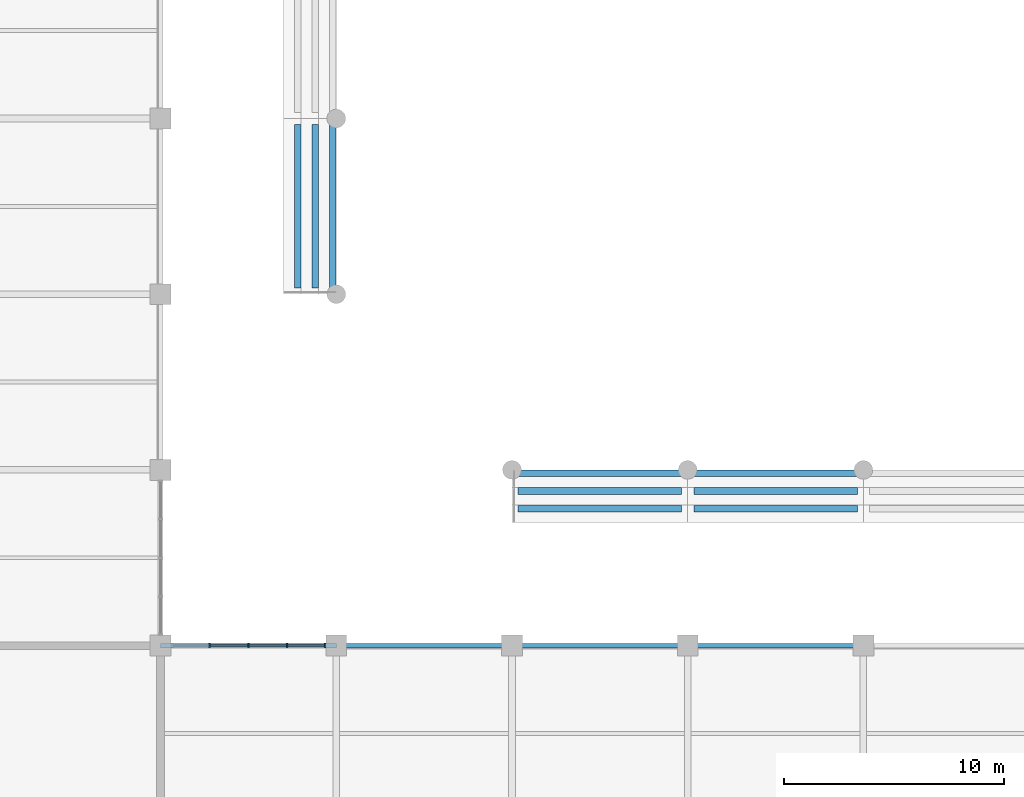
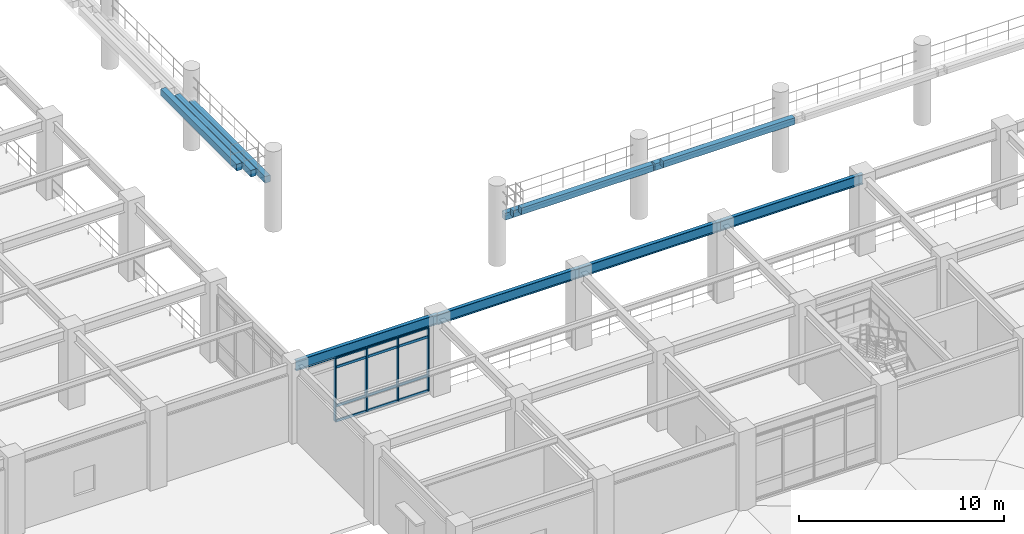
# One storey, part 13 of 109: 16 members, 13 beams, 1 element without a shape of its own.
"""IFC4 building model written with IfcOpenShell, lengths in metres."""

import ifcopenshell
import ifcopenshell.guid

model = None  # the IFC model being written
_history = None  # IfcOwnerHistory: only IFC2X3 demands one
_inside = {}  # id of a spatial element -> (the spatial element, [elements in it])
_under = {}  # id of a project, library or spatial element -> (it, [spatial elements below it])
_declared = {}  # id of a project -> (the project, [libraries it declares])
_typed = {}  # id of a type object -> (the type object, [elements of that type])
_made_of = {}  # id of a material, layer set ... -> (it, [elements and type objects made of it])


def new_model(schema):
    """Start an empty IFC model of exactly this schema.

    Asked for "IFC4X3", IfcOpenShell would pick the latest addendum, in which some entities
    have other attributes; the version numbers below select the first issue.
    IFC2X3 requires an IfcOwnerHistory on every rooted entity: one is made here for all.
    """
    global model, _history
    if schema == "IFC4X3":
        model = ifcopenshell.file(schema_version=(4, 3, 0, 0))
    else:
        model = ifcopenshell.file(schema=schema)
    _inside.clear()
    _under.clear()
    _declared.clear()
    _typed.clear()
    _made_of.clear()
    _history = None
    if model.schema == "IFC2X3":
        org = make("IfcOrganization", Name="unknown")
        user = make(
            "IfcPersonAndOrganization",
            ThePerson=make("IfcPerson", FamilyName="unknown"),
            TheOrganization=org,
        )
        app = make(
            "IfcApplication",
            ApplicationDeveloper=org,
            Version="unknown",
            ApplicationFullName="unknown",
            ApplicationIdentifier="unknown",
        )
        _history = make(
            "IfcOwnerHistory",
            OwningUser=user,
            OwningApplication=app,
            ChangeAction="ADDED",
            CreationDate=0,
        )
    return model


def make(cls, **values):
    """One entity of the class cls with the attributes given. An attribute that is None is left unset."""
    return model.create_entity(
        cls, **{name: value for name, value in values.items() if value is not None}
    )


def rooted(cls, **values):
    """An entity with a GlobalId (a new one), such as an element, a storey or a relation."""
    return make(cls, GlobalId=ifcopenshell.guid.new(), OwnerHistory=_history, **values)


def si_unit(unit_type, name, prefix=None):
    """IfcSIUnit, for example si_unit("LENGTHUNIT", "METRE", prefix="MILLI")."""
    return make("IfcSIUnit", UnitType=unit_type, Prefix=prefix, Name=name)


def assignment(units):
    """IfcUnitAssignment: the units of a project."""
    return None if units is None else make("IfcUnitAssignment", Units=units)


def point(xyz):
    """IfcCartesianPoint."""
    return None if xyz is None else make("IfcCartesianPoint", Coordinates=xyz)


def direction(xyz):
    """IfcDirection."""
    return None if xyz is None else make("IfcDirection", DirectionRatios=xyz)


def frame(location, z_axis=None, x_axis=None):
    """IfcAxis2Placement3D, a coordinate frame: its origin and axes. An axis left out is left unset."""
    return make(
        "IfcAxis2Placement3D",
        Location=point(location),
        Axis=direction(z_axis),
        RefDirection=direction(x_axis),
    )


def frame_2d(location, x_axis=None):
    """IfcAxis2Placement2D, a coordinate frame in the plane: its origin and x axis."""
    return make(
        "IfcAxis2Placement2D", Location=point(location), RefDirection=direction(x_axis)
    )


def origin():
    """The frame at (0, 0, 0) with its axes left unset."""
    return frame((0.0, 0.0, 0.0))


def origin_2d():
    """The frame at (0, 0) in the plane with its x axis left unset."""
    return frame_2d((0.0, 0.0))


def place(relative_to, where):
    """IfcLocalPlacement: puts the frame where relative to a parent placement (None: the world)."""
    return make(
        "IfcLocalPlacement", PlacementRelTo=relative_to, RelativePlacement=where
    )


def context(
    kind, dimensions, precision=None, world=None, true_north=None, identifier=None
):
    """IfcGeometricRepresentationContext, for example the 3D "Model" context."""
    return make(
        "IfcGeometricRepresentationContext",
        ContextIdentifier=identifier,
        ContextType=kind,
        CoordinateSpaceDimension=dimensions,
        Precision=precision,
        WorldCoordinateSystem=world,
        TrueNorth=true_north,
    )


def subcontext(parent, identifier, kind, view, scale=None):
    """IfcGeometricRepresentationSubContext, for example "Body" below "Model"."""
    return make(
        "IfcGeometricRepresentationSubContext",
        ContextIdentifier=identifier,
        ContextType=kind,
        ParentContext=parent,
        TargetScale=scale,
        TargetView=view,
    )


def project(units=None, contexts=None):
    """IfcProject with its units and contexts."""
    return rooted(
        "IfcProject",
        Name="project",
        RepresentationContexts=contexts,
        UnitsInContext=assignment(units),
    )


def spatial(cls, under=None, at=None, **own):
    """A site, building, storey or space (cls), placed at a placement, below another one or the project."""
    s = rooted(cls, ObjectPlacement=at, **own)
    if under is not None:
        _under.setdefault(under.id(), (under, []))[1].append(s)
    return s


def profile(cls, at=None, kind="AREA", **sizes):
    """A parametric profile (cls). Its sizes go by their IFC names, for example OverallWidth=200.0."""
    return make(cls, ProfileType=kind, Position=at, **sizes)


def rectangle(**sizes):
    """IfcRectangleProfileDef."""
    return profile("IfcRectangleProfileDef", **sizes)


def i_section(**sizes):
    """IfcIShapeProfileDef."""
    return profile("IfcIShapeProfileDef", **sizes)


def extrude(swept, where, along, depth):
    """IfcExtrudedAreaSolid: the profile swept, set in the frame where, extruded along a direction by depth."""
    return make(
        "IfcExtrudedAreaSolid",
        SweptArea=swept,
        Position=where,
        ExtrudedDirection=direction(along),
        Depth=depth,
    )


def shape(context_of_items, identifier, shape_type, items):
    """IfcShapeRepresentation: the items that make up one representation, for example the "Body"."""
    return make(
        "IfcShapeRepresentation",
        ContextOfItems=context_of_items,
        RepresentationIdentifier=identifier,
        RepresentationType=shape_type,
        Items=items,
    )


def material(Name=None, Category=None):
    """IfcMaterial."""
    return make("IfcMaterial", Name=Name, Category=Category)


def layer(
    of_material, thickness, ventilated=None, Name=None, Category=None, Priority=None
):
    """IfcMaterialLayer: one layer of a wall or slab, of a material (None: an air gap)."""
    return make(
        "IfcMaterialLayer",
        Material=of_material,
        LayerThickness=thickness,
        IsVentilated=ventilated,
        Name=Name,
        Category=Category,
        Priority=Priority,
    )


def layer_set(layers, Name=None):
    """IfcMaterialLayerSet."""
    return make("IfcMaterialLayerSet", MaterialLayers=layers, LayerSetName=Name)


def material_profile(
    of_material, cross_section, Name=None, Category=None, Priority=None
):
    """IfcMaterialProfile: a cross section and its material."""
    return make(
        "IfcMaterialProfile",
        Name=Name,
        Material=of_material,
        Profile=cross_section,
        Priority=Priority,
        Category=Category,
    )


def profile_set(profiles, Name=None, composite=None):
    """IfcMaterialProfileSet."""
    return make(
        "IfcMaterialProfileSet",
        Name=Name,
        MaterialProfiles=profiles,
        CompositeProfile=composite,
    )


def made_of(thing, what):
    """Note that an element or type object is made of a material, layer set ...; save() writes the relation."""
    if what is not None:
        _made_of.setdefault(what.id(), (what, []))[1].append(thing)
    return thing


def type_object(cls, material=None, **own):
    """A type object (cls), such as IfcWallType, which elements share."""
    return made_of(rooted(cls, **own), material)


def element(
    cls,
    number,
    at=None,
    inside=None,
    cuts=None,
    type_object=None,
    material=None,
    context=None,
    identifier="Body",
    shape_type=None,
    held_by="IfcProductDefinitionShape",
    body=None,
    shapes=None,
    **own,
):
    """One element of the class cls, such as IfcWall. Its Tag is "e" and its number.

    at: its placement. inside: the storey or other place that contains it. cuts: it is an
    opening in that element (IfcRelVoidsElement). A single representation is given by context,
    identifier, shape_type and body (its items); several are given by shapes. held_by: the class
    of the entity that holds the representations. save() writes the other relations.
    """
    e = rooted(cls, Tag="e%d" % number, ObjectPlacement=at, **own)
    if body is not None:
        shapes = [shape(context, identifier, shape_type, body)]
    if shapes is not None:
        e.Representation = make(held_by, Representations=shapes)
    if inside is not None:
        _inside.setdefault(inside.id(), (inside, []))[1].append(e)
    if cuts is not None:
        rooted(
            "IfcRelVoidsElement", RelatingBuildingElement=cuts, RelatedOpeningElement=e
        )
    if type_object is not None:
        _typed.setdefault(type_object.id(), (type_object, []))[1].append(e)
    return made_of(e, material)


def aggregate(whole, parts):
    """IfcRelAggregates: a whole, such as a stair, and the parts it consists of."""
    return rooted("IfcRelAggregates", RelatingObject=whole, RelatedObjects=parts)


def save(model, path):
    """Write the relations noted so far, then the file.

    IfcRelAggregates (storeys below a building ...), IfcRelContainedInSpatialStructure (elements
    in a storey), IfcRelDefinesByType, IfcRelAssociatesMaterial and IfcRelDeclares: one each for
    every whole, place, type object, material and project.
    """
    for whole, parts in _under.values():
        aggregate(whole, parts)
    for where, things in _inside.values():
        rooted(
            "IfcRelContainedInSpatialStructure",
            RelatedElements=things,
            RelatingStructure=where,
        )
    for kind, things in _typed.values():
        rooted("IfcRelDefinesByType", RelatedObjects=things, RelatingType=kind)
    for what, things in _made_of.values():
        rooted("IfcRelAssociatesMaterial", RelatedObjects=things, RelatingMaterial=what)
    for by, libraries in _declared.values():
        rooted("IfcRelDeclares", RelatingContext=by, RelatedDefinitions=libraries)
    model.write(path)


model = new_model("IFC4")

# Units and contexts
model_context = context("Model", 3, precision=1e-05, world=origin(), true_north=direction((0.0, 1.0)))
body_context = subcontext(model_context, "Body", "Model", "MODEL_VIEW")
ifc_project = project(units=[si_unit("LENGTHUNIT", "METRE"), si_unit("AREAUNIT", "SQUARE_METRE"), si_unit("VOLUMEUNIT", "CUBIC_METRE"), si_unit("PLANEANGLEUNIT", "RADIAN"), si_unit("MASSUNIT", "GRAM", prefix="KILO")], contexts=[model_context])

# Site, building, storey
site_placement = place(None, origin())
site = spatial("IfcSite", under=ifc_project, at=site_placement, CompositionType="ELEMENT")
building_placement = place(site_placement, origin())
building = spatial("IfcBuilding", under=site, at=building_placement, Name="Haebicheon Civic Stadium", CompositionType="ELEMENT")
storey_placement = place(building_placement, frame((0.0, 0.0, 9.60009765625)))
storey = spatial("IfcBuildingStorey", under=building, at=storey_placement, Name="L03", CompositionType="ELEMENT", Elevation=9.60009765625)

# Beams
ifc_material_1 = material(Name="Precast concrete C40/50", Category="concrete")
ifc_material_profile_1 = material_profile(ifc_material_1, rectangle(XDim=0.300048828125, YDim=0.39990234375, at=origin_2d()), Name="PC-LN-300x400")
ifc_profile_set_1 = profile_set([ifc_material_profile_1], Name="Precast concrete C40/50")
beam_type_1 = type_object("IfcBeamType", Name="BM-LN-300x400", PredefinedType="LINTEL", material=ifc_profile_set_1)
for number, where, z_axis, x_axis, name in (
    (1, (71.840087890625, 48.280029296875, 2.760009765625), (0.0, 1.0, 0.0), (-1.0, 0.0, 0.0), "TIER-W-U precast step carrier beam 1.1"),
    (2, (71.0400390625, 48.280029296875, 3.40380859375), (0.0, 1.0, 0.0), (-1.0, 0.0, 0.0), "TIER-W-U precast step carrier beam 1.2"),
    (3, (70.239990234375, 48.280029296875, 4.048828125), (0.0, 1.0, 0.0), (-1.0, 0.0, 0.0), "TIER-W-U precast step carrier beam 1.3"),
    (4, (80.280029296875, 39.840087890625, 2.760009765625), (1.0, 0.0, 0.0), (0.0, 1.0, 0.0), "TIER-S-U precast step carrier beam 1.1"),
    (5, (80.280029296875, 39.0400390625, 3.40380859375), (1.0, 0.0, 0.0), (0.0, 1.0, 0.0), "TIER-S-U precast step carrier beam 1.2"),
    (6, (80.280029296875, 38.239990234375, 4.048828125), (1.0, 0.0, 0.0), (0.0, 1.0, 0.0), "TIER-S-U precast step carrier beam 1.3"),
    (7, (88.280029296875, 39.840087890625, 2.760009765625), (1.0, 0.0, 0.0), (0.0, 1.0, 0.0), "TIER-S-U precast step carrier beam 2.1"),
    (8, (88.280029296875, 39.0400390625, 3.40380859375), (1.0, 0.0, 0.0), (0.0, 1.0, 0.0), "TIER-S-U precast step carrier beam 2.2"),
    (9, (88.280029296875, 38.239990234375, 4.048828125), (1.0, 0.0, 0.0), (0.0, 1.0, 0.0), "TIER-S-U precast step carrier beam 2.3"),
):
    element("IfcBeam", number, at=place(storey_placement, frame(where, z_axis=z_axis, x_axis=x_axis)), inside=storey, type_object=beam_type_1, material=ifc_profile_set_1, Name=name, PredefinedType="LINTEL", context=body_context, shape_type="SweptSolid", body=[
        extrude(rectangle(XDim=0.300048828125, YDim=0.39990234375, at=origin_2d()), origin(), (0.0, 0.0, 1.0), 7.43994140625),
    ])

# Curtain wall, members
ifc_material_2 = material(Name="Anodised aluminium and laminated glass", Category="aluminium")
ifc_layer = layer(ifc_material_2, 0.179931640625, Name="Anodised aluminium and laminated glass")
ifc_layer_set = layer_set([ifc_layer], Name="Anodised aluminium and laminated glass")
curtain_wall_type = type_object("IfcCurtainWallType", Name="CW-7050x3770", PredefinedType="NOTDEFINED", material=ifc_layer_set)
curtain_wall_placement = place(storey_placement, origin())
curtain_wall = element("IfcCurtainWall", 10, at=curtain_wall_placement, inside=storey, type_object=curtain_wall_type, material=ifc_layer_set, Name="L03 unitised curtain wall 077", PredefinedType="NOTDEFINED")
ifc_material_3 = material(Name="Anodised aluminium 6063-T6", Category="aluminium")
ifc_material_profile_2 = material_profile(ifc_material_3, rectangle(XDim=0.070068359375, YDim=0.199951171875, at=origin_2d()), Name="ALU-MULL-70x200")
ifc_profile_set_2 = profile_set([ifc_material_profile_2], Name="Anodised aluminium 6063-T6")
member_type_1 = type_object("IfcMemberType", Name="CWM-200x70", PredefinedType="MULLION", material=ifc_profile_set_2)
member_1_placement = place(storey_placement, frame((66.237060546875, 32.0, 0.159912109375), z_axis=(0.0, 0.0, 1.0), x_axis=(1.0, 0.0, 0.0)))
member_1 = element("IfcMember", 11, at=member_1_placement, type_object=member_type_1, material=ifc_profile_set_2, Name="CW-L03-077 vertical mullion 2", PredefinedType="MULLION", context=body_context, shape_type="SweptSolid", body=[
    extrude(rectangle(XDim=0.070068359375, YDim=0.199951171875, at=origin_2d()), origin(), (0.0, 0.0, 1.0), 3.77001953125),
])
member_2_placement = place(storey_placement, frame((68.0, 32.0, 0.159912109375), z_axis=(0.0, 0.0, 1.0), x_axis=(1.0, 0.0, 0.0)))
member_2 = element("IfcMember", 12, at=member_2_placement, type_object=member_type_1, material=ifc_profile_set_2, Name="CW-L03-077 vertical mullion 3", PredefinedType="MULLION", context=body_context, shape_type="SweptSolid", body=[
    extrude(rectangle(XDim=0.070068359375, YDim=0.199951171875, at=origin_2d()), origin(), (0.0, 0.0, 1.0), 3.77001953125),
])
member_3_placement = place(storey_placement, frame((69.762939453125, 32.0, 0.159912109375), z_axis=(0.0, 0.0, 1.0), x_axis=(1.0, 0.0, 0.0)))
member_3 = element("IfcMember", 13, at=member_3_placement, type_object=member_type_1, material=ifc_profile_set_2, Name="CW-L03-077 vertical mullion 4", PredefinedType="MULLION", context=body_context, shape_type="SweptSolid", body=[
    extrude(rectangle(XDim=0.070068359375, YDim=0.199951171875, at=origin_2d()), origin(), (0.0, 0.0, 1.0), 3.77001953125),
])
member_4_placement = place(storey_placement, frame((71.489990234375, 32.0, 0.159912109375), z_axis=(0.0, 0.0, 1.0), x_axis=(1.0, 0.0, 0.0)))
member_4 = element("IfcMember", 14, at=member_4_placement, type_object=member_type_1, material=ifc_profile_set_2, Name="CW-L03-077 vertical mullion 5", PredefinedType="MULLION", context=body_context, shape_type="SweptSolid", body=[
    extrude(rectangle(XDim=0.070068359375, YDim=0.199951171875, at=origin_2d()), origin(), (0.0, 0.0, 1.0), 3.77001953125),
])
ifc_material_4 = material(Name="Anodised aluminium 6063-T6", Category="aluminium")
ifc_material_profile_3 = material_profile(ifc_material_4, rectangle(XDim=0.070068359375, YDim=0.14990234375, at=origin_2d()), Name="ALU-TRAN-70x150")
ifc_profile_set_3 = profile_set([ifc_material_profile_3], Name="Anodised aluminium 6063-T6")
member_type_2 = type_object("IfcMemberType", Name="CWT-150x70", PredefinedType="NOTDEFINED", material=ifc_profile_set_3)
member_5_placement = place(storey_placement, frame((66.27197265625, 32.0, 0.159912109375), z_axis=(1.0, 0.0, 0.0), x_axis=(0.0, 1.0, 0.0)))
member_5 = element("IfcMember", 15, at=member_5_placement, type_object=member_type_2, material=ifc_profile_set_3, Name="CW-L03-077 horizontal transom 2.1", ObjectType="TRANSOM", PredefinedType="USERDEFINED", context=body_context, shape_type="SweptSolid", body=[
    extrude(rectangle(XDim=0.070068359375, YDim=0.14990234375, at=origin_2d()), origin(), (0.0, 0.0, 1.0), 1.693115234375),
])
member_6_placement = place(storey_placement, frame((66.27197265625, 32.0, 1.059814453125), z_axis=(1.0, 0.0, 0.0), x_axis=(0.0, 1.0, 0.0)))
member_6 = element("IfcMember", 16, at=member_6_placement, type_object=member_type_2, material=ifc_profile_set_3, Name="CW-L03-077 horizontal transom 2.2", ObjectType="TRANSOM", PredefinedType="USERDEFINED", context=body_context, shape_type="SweptSolid", body=[
    extrude(rectangle(XDim=0.070068359375, YDim=0.14990234375, at=origin_2d()), origin(), (0.0, 0.0, 1.0), 1.693115234375),
])
member_7_placement = place(storey_placement, frame((66.27197265625, 32.0, 3.3798828125), z_axis=(1.0, 0.0, 0.0), x_axis=(0.0, 1.0, 0.0)))
member_7 = element("IfcMember", 17, at=member_7_placement, type_object=member_type_2, material=ifc_profile_set_3, Name="CW-L03-077 horizontal transom 2.3", ObjectType="TRANSOM", PredefinedType="USERDEFINED", context=body_context, shape_type="SweptSolid", body=[
    extrude(rectangle(XDim=0.070068359375, YDim=0.14990234375, at=origin_2d()), origin(), (0.0, 0.0, 1.0), 1.693115234375),
])
member_8_placement = place(storey_placement, frame((66.27197265625, 32.0, 3.929931640625), z_axis=(1.0, 0.0, 0.0), x_axis=(0.0, 1.0, 0.0)))
member_8 = element("IfcMember", 18, at=member_8_placement, type_object=member_type_2, material=ifc_profile_set_3, Name="CW-L03-077 horizontal transom 2.4", ObjectType="TRANSOM", PredefinedType="USERDEFINED", context=body_context, shape_type="SweptSolid", body=[
    extrude(rectangle(XDim=0.070068359375, YDim=0.14990234375, at=origin_2d()), origin(), (0.0, 0.0, 1.0), 1.693115234375),
])
member_9_placement = place(storey_placement, frame((68.034912109375, 32.0, 0.159912109375), z_axis=(1.0, 0.0, 0.0), x_axis=(0.0, 1.0, 0.0)))
member_9 = element("IfcMember", 19, at=member_9_placement, type_object=member_type_2, material=ifc_profile_set_3, Name="CW-L03-077 horizontal transom 3.1", ObjectType="TRANSOM", PredefinedType="USERDEFINED", context=body_context, shape_type="SweptSolid", body=[
    extrude(rectangle(XDim=0.070068359375, YDim=0.14990234375, at=origin_2d()), origin(), (0.0, 0.0, 1.0), 1.693115234375),
])
member_10_placement = place(storey_placement, frame((68.034912109375, 32.0, 1.059814453125), z_axis=(1.0, 0.0, 0.0), x_axis=(0.0, 1.0, 0.0)))
member_10 = element("IfcMember", 20, at=member_10_placement, type_object=member_type_2, material=ifc_profile_set_3, Name="CW-L03-077 horizontal transom 3.2", ObjectType="TRANSOM", PredefinedType="USERDEFINED", context=body_context, shape_type="SweptSolid", body=[
    extrude(rectangle(XDim=0.070068359375, YDim=0.14990234375, at=origin_2d()), origin(), (0.0, 0.0, 1.0), 1.693115234375),
])
member_11_placement = place(storey_placement, frame((68.034912109375, 32.0, 3.3798828125), z_axis=(1.0, 0.0, 0.0), x_axis=(0.0, 1.0, 0.0)))
member_11 = element("IfcMember", 21, at=member_11_placement, type_object=member_type_2, material=ifc_profile_set_3, Name="CW-L03-077 horizontal transom 3.3", ObjectType="TRANSOM", PredefinedType="USERDEFINED", context=body_context, shape_type="SweptSolid", body=[
    extrude(rectangle(XDim=0.070068359375, YDim=0.14990234375, at=origin_2d()), origin(), (0.0, 0.0, 1.0), 1.693115234375),
])
member_12_placement = place(storey_placement, frame((68.034912109375, 32.0, 3.929931640625), z_axis=(1.0, 0.0, 0.0), x_axis=(0.0, 1.0, 0.0)))
member_12 = element("IfcMember", 22, at=member_12_placement, type_object=member_type_2, material=ifc_profile_set_3, Name="CW-L03-077 horizontal transom 3.4", ObjectType="TRANSOM", PredefinedType="USERDEFINED", context=body_context, shape_type="SweptSolid", body=[
    extrude(rectangle(XDim=0.070068359375, YDim=0.14990234375, at=origin_2d()), origin(), (0.0, 0.0, 1.0), 1.693115234375),
])
member_13_placement = place(storey_placement, frame((69.798095703125, 32.0, 0.159912109375), z_axis=(1.0, 0.0, 0.0), x_axis=(0.0, 1.0, 0.0)))
member_13 = element("IfcMember", 23, at=member_13_placement, type_object=member_type_2, material=ifc_profile_set_3, Name="CW-L03-077 horizontal transom 4.1", ObjectType="TRANSOM", PredefinedType="USERDEFINED", context=body_context, shape_type="SweptSolid", body=[
    extrude(rectangle(XDim=0.070068359375, YDim=0.14990234375, at=origin_2d()), origin(), (0.0, 0.0, 1.0), 1.656982421875),
])
member_14_placement = place(storey_placement, frame((69.798095703125, 32.0, 1.059814453125), z_axis=(1.0, 0.0, 0.0), x_axis=(0.0, 1.0, 0.0)))
member_14 = element("IfcMember", 24, at=member_14_placement, type_object=member_type_2, material=ifc_profile_set_3, Name="CW-L03-077 horizontal transom 4.2", ObjectType="TRANSOM", PredefinedType="USERDEFINED", context=body_context, shape_type="SweptSolid", body=[
    extrude(rectangle(XDim=0.070068359375, YDim=0.14990234375, at=origin_2d()), origin(), (0.0, 0.0, 1.0), 1.656982421875),
])
member_15_placement = place(storey_placement, frame((69.798095703125, 32.0, 3.3798828125), z_axis=(1.0, 0.0, 0.0), x_axis=(0.0, 1.0, 0.0)))
member_15 = element("IfcMember", 25, at=member_15_placement, type_object=member_type_2, material=ifc_profile_set_3, Name="CW-L03-077 horizontal transom 4.3", ObjectType="TRANSOM", PredefinedType="USERDEFINED", context=body_context, shape_type="SweptSolid", body=[
    extrude(rectangle(XDim=0.070068359375, YDim=0.14990234375, at=origin_2d()), origin(), (0.0, 0.0, 1.0), 1.656982421875),
])
member_16_placement = place(storey_placement, frame((69.798095703125, 32.0, 3.929931640625), z_axis=(1.0, 0.0, 0.0), x_axis=(0.0, 1.0, 0.0)))
member_16 = element("IfcMember", 26, at=member_16_placement, type_object=member_type_2, material=ifc_profile_set_3, Name="CW-L03-077 horizontal transom 4.4", ObjectType="TRANSOM", PredefinedType="USERDEFINED", context=body_context, shape_type="SweptSolid", body=[
    extrude(rectangle(XDim=0.070068359375, YDim=0.14990234375, at=origin_2d()), origin(), (0.0, 0.0, 1.0), 1.656982421875),
])
aggregate(curtain_wall, [member_1, member_2, member_3, member_4, member_5, member_6, member_7, member_8, member_9, member_10, member_11, member_12, member_13, member_14, member_15, member_16])

# Beams
ifc_material_5 = material(Name="Steel SM355 (S355)", Category="steel")
ifc_material_profile_4 = material_profile(ifc_material_5, i_section(OverallWidth=0.199951171875, OverallDepth=0.60009765625, WebThickness=0.010986328125, FlangeThickness=0.01708984375, at=origin_2d()), Name="H-600x200x11x17")
ifc_profile_set_4 = profile_set([ifc_material_profile_4], Name="Steel SM355 (S355)")
beam_type_2 = type_object("IfcBeamType", Name="SPD-ST-H600B", PredefinedType="SPANDREL", material=ifc_profile_set_4)
for number, where, z_axis, x_axis, name in (
    (27, (64.0, 32.0, 4.27978515625), (1.0, 0.0, 0.0), (0.0, 1.0, 0.0), "L03 beam E/9-10"),
    (28, (72.0, 32.0, 4.239990234375), (1.0, 0.0, 0.0), (0.0, 1.0, 0.0), "L03 beam E/10-11"),
    (29, (80.0, 32.0, 4.239990234375), (1.0, 0.0, 0.0), (0.0, 1.0, 0.0), "L03 beam E/11-12"),
    (30, (88.0, 32.0, 4.239990234375), (1.0, 0.0, 0.0), (0.0, 1.0, 0.0), "L03 beam E/12-13"),
):
    element("IfcBeam", number, at=place(storey_placement, frame(where, z_axis=z_axis, x_axis=x_axis)), inside=storey, type_object=beam_type_2, material=ifc_profile_set_4, Name=name, PredefinedType="SPANDREL", context=body_context, shape_type="SweptSolid", body=[
        extrude(i_section(OverallWidth=0.199951171875, OverallDepth=0.60009765625, WebThickness=0.010986328125, FlangeThickness=0.01708984375, at=origin_2d()), origin(), (0.0, 0.0, 1.0), 8.0),
    ])

save(model, "model.ifc")
